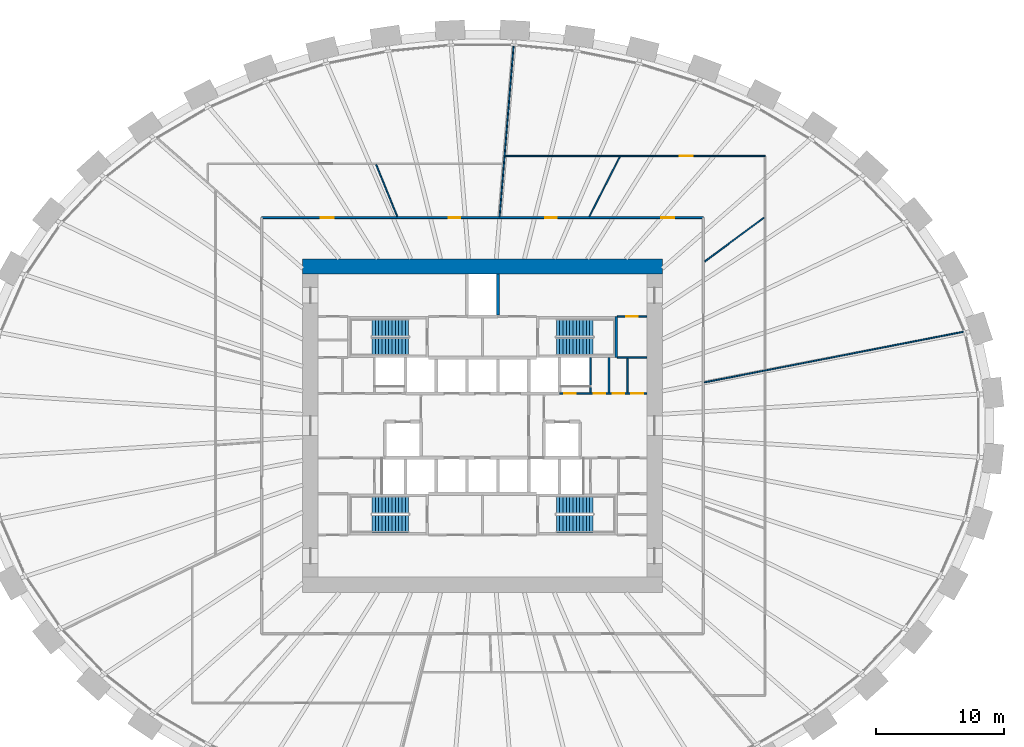
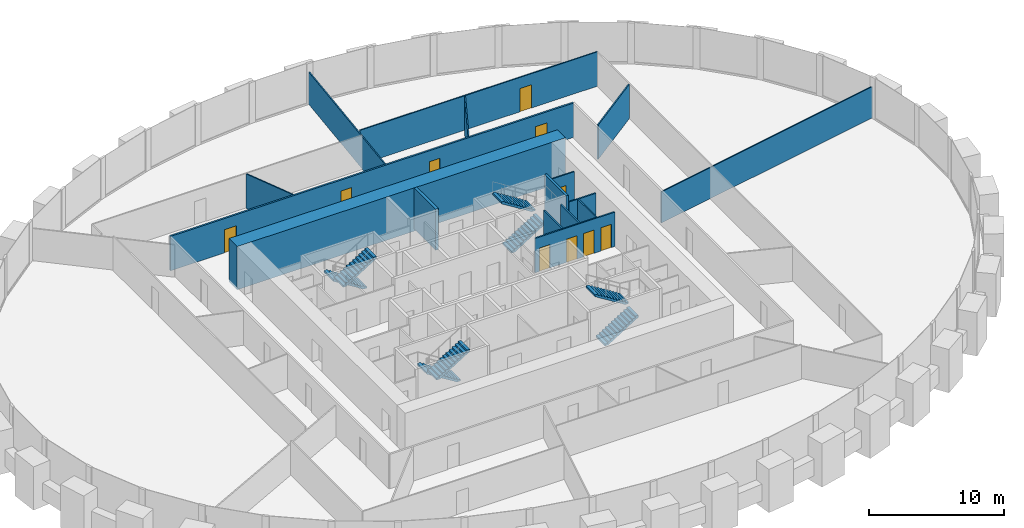
# One storey, part 9 of 10: 16 walls, 10 doors, 8 stair flights, 10 openings, 4 elements without a shape of their own.
"""IFC4 building model written with IfcOpenShell, lengths in metres."""

from ifc_helpers import new_model, si_unit, direction, frame, frame_2d, origin, place, context, subcontext, project, spatial, polyline, rectangle, outline, extrude, source, transform, mapped, material, layer, layer_set, type_object, element, fill, aggregate, save


model = new_model("IFC4")

# Units and contexts
model_context = context("Model", 3, precision=1e-05, world=origin(), true_north=direction((0.0, 1.0)))
body_context = subcontext(model_context, "Body", "Model", "MODEL_VIEW")
ifc_project = project(units=[si_unit("LENGTHUNIT", "METRE"), si_unit("AREAUNIT", "SQUARE_METRE"), si_unit("VOLUMEUNIT", "CUBIC_METRE"), si_unit("PLANEANGLEUNIT", "RADIAN"), si_unit("MASSUNIT", "GRAM", prefix="KILO")], contexts=[model_context])

# Site, building, storey
site_placement = place(None, origin())
site = spatial("IfcSite", under=ifc_project, at=site_placement, CompositionType="ELEMENT")
building_placement = place(site_placement, origin())
building = spatial("IfcBuilding", under=site, at=building_placement, Name="Embergate Tower", CompositionType="ELEMENT")
storey_placement = place(building_placement, frame((0.0, 0.0, 117.199951171875)))
storey = spatial("IfcBuildingStorey", under=building, at=storey_placement, Name="L25", CompositionType="ELEMENT", Elevation=117.199951171875)

# Wall
ifc_material_1 = material(Name="Concrete C80", Category="concrete")
ifc_layer_1 = layer(ifc_material_1, 1.199951171875)
ifc_layer_set_1 = layer_set([ifc_layer_1], Name="Concrete C80")
wall_type_1 = type_object("IfcWallType", Name="Core outer wall C80 1200", PredefinedType="SHEAR", material=ifc_layer_set_1)
shared_shape_1 = source(origin(), body_context, "Body", "SweptSolid", [
    extrude(rectangle(XDim=28.0, YDim=1.199951171875, at=frame_2d((14.0, 0.0))), origin(), (0.0, 0.0, 1.0), 3.89990234375),
])
wall_1_placement = place(storey_placement, frame((-14.0, 12.39990234375, -0.199951171875), z_axis=(0.0, 0.0, 1.0), x_axis=(1.0, 0.0, 0.0)))
element("IfcWall", 1, at=wall_1_placement, inside=storey, type_object=wall_type_1, Name="CW-L25-N", PredefinedType="SHEAR", context=body_context, shape_type="MappedRepresentation", body=[
    mapped(shared_shape_1, transform((0.0, 0.0, 0.0))),
])

# Wall, openings, doors
ifc_material_2 = material(Name="Core partition blockwork 120")
ifc_layer_2 = layer(ifc_material_2, 0.1201171875)
ifc_layer_set_2 = layer_set([ifc_layer_2], Name="Core partition blockwork 120")
wall_type_2 = type_object("IfcWallType", Name="Core partition blockwork 120", PredefinedType="PARTITIONING", material=ifc_layer_set_2)
shared_shape_2 = source(origin(), body_context, "Body", "SweptSolid", [
    extrude(rectangle(XDim=6.800048828125, YDim=0.1201171875, at=frame_2d((3.39990234375, 0.0))), origin(), (0.0, 0.0, 1.0), 3.10009765625),
])
wall_2_placement = place(storey_placement, frame((6.0, 2.5, 0.0), z_axis=(0.0, 0.0, 1.0), x_axis=(1.0, 0.0, 0.0)))
wall_2 = element("IfcWall", 2, at=wall_2_placement, inside=storey, type_object=wall_type_2, Name="IP-3 wall", PredefinedType="PARTITIONING", context=body_context, shape_type="MappedRepresentation", body=[
    mapped(shared_shape_2, transform((0.0, 0.0, 0.0))),
])
shared_shape_3 = source(origin(), body_context, "Body", "SweptSolid", [
    extrude(rectangle(XDim=0.89990234375, YDim=2.10009765625, at=frame_2d((0.449951171875, 1.050048828125))), frame((0.0, 0.070068359375, 0.0), z_axis=(0.0, -1.0, 0.0), x_axis=(1.0, 0.0, 0.0)), (0.0, 0.0, 1.0), 0.14013671875),
])
opening_1_placement = place(wall_2_placement, frame((0.35009765625, 0.0, 0.0)))
opening_1 = element("IfcOpeningElement", 3, at=opening_1_placement, cuts=wall_2, Name="Opening ID-1", PredefinedType="OPENING", context=body_context, shape_type="MappedRepresentation", body=[
    mapped(shared_shape_3, transform((0.0, 0.0, 0.0))),
])
opening_2_placement = place(wall_2_placement, frame((2.676025390625, 0.0, 0.0)))
opening_2 = element("IfcOpeningElement", 4, at=opening_2_placement, cuts=wall_2, Name="Opening ID-1", PredefinedType="OPENING", context=body_context, shape_type="MappedRepresentation", body=[
    mapped(shared_shape_3, transform((0.0, 0.0, 0.0))),
])
opening_3_placement = place(wall_2_placement, frame((4.1279296875, 0.0, 0.0)))
opening_3 = element("IfcOpeningElement", 5, at=opening_3_placement, cuts=wall_2, Name="Opening ID-1", PredefinedType="OPENING", context=body_context, shape_type="MappedRepresentation", body=[
    mapped(shared_shape_3, transform((0.0, 0.0, 0.0))),
])
opening_4_placement = place(wall_2_placement, frame((5.60205078125, 0.0, 0.0)))
opening_4 = element("IfcOpeningElement", 6, at=opening_4_placement, cuts=wall_2, Name="Opening ID-1", PredefinedType="OPENING", context=body_context, shape_type="MappedRepresentation", body=[
    mapped(shared_shape_3, transform((0.0, 0.0, 0.0))),
])
ifc_material_3 = material(Name="Interior door 900")
door_type_1 = type_object("IfcDoorType", Name="Interior door 900", OperationType="SINGLE_SWING_LEFT", PredefinedType="DOOR", material=ifc_material_3)
shared_shape_4 = source(origin(), body_context, "Body", "SweptSolid", [
    extrude(rectangle(XDim=0.89990234375, YDim=2.10009765625, at=frame_2d((0.449951171875, 1.050048828125))), frame((0.0, 0.02490234375, 0.0), z_axis=(0.0, -1.0, 0.0), x_axis=(1.0, 0.0, 0.0)), (0.0, 0.0, 1.0), 0.050048828125),
])
door_1_placement = place(opening_1_placement, origin())
door_1 = element("IfcDoor", 7, at=door_1_placement, inside=storey, type_object=door_type_1, Name="ID-1 door", OperationType="SINGLE_SWING_RIGHT", OverallHeight=2.10009765625, OverallWidth=0.89990234375, PredefinedType="DOOR", context=body_context, shape_type="MappedRepresentation", body=[
    mapped(shared_shape_4, transform((0.0, 0.0, 0.0))),
])
fill(opening_1, door_1)
door_2_placement = place(opening_2_placement, origin())
door_2 = element("IfcDoor", 8, at=door_2_placement, inside=storey, type_object=door_type_1, Name="ID-1 door", OperationType="SINGLE_SWING_LEFT", OverallHeight=2.10009765625, OverallWidth=0.89990234375, PredefinedType="DOOR", context=body_context, shape_type="MappedRepresentation", body=[
    mapped(shared_shape_4, transform((0.0, 0.0, 0.0))),
])
fill(opening_2, door_2)
door_3_placement = place(opening_3_placement, origin())
door_3 = element("IfcDoor", 9, at=door_3_placement, inside=storey, type_object=door_type_1, Name="ID-1 door", OperationType="SINGLE_SWING_RIGHT", OverallHeight=2.10009765625, OverallWidth=0.89990234375, PredefinedType="DOOR", context=body_context, shape_type="MappedRepresentation", body=[
    mapped(shared_shape_4, transform((0.0, 0.0, 0.0))),
])
fill(opening_3, door_3)
door_4_placement = place(opening_4_placement, origin())
door_4 = element("IfcDoor", 10, at=door_4_placement, inside=storey, type_object=door_type_1, Name="ID-1 door", OperationType="SINGLE_SWING_RIGHT", OverallHeight=2.10009765625, OverallWidth=0.89990234375, PredefinedType="DOOR", context=body_context, shape_type="MappedRepresentation", body=[
    mapped(shared_shape_4, transform((0.0, 0.0, 0.0))),
])
fill(opening_4, door_4)

# Walls
shared_shape_5 = source(origin(), body_context, "Body", "SweptSolid", [
    extrude(rectangle(XDim=2.739990234375, YDim=0.1201171875, at=frame_2d((1.3701171875, 0.0))), origin(), (0.0, 0.0, 1.0), 3.10009765625),
])
for number, where, z_axis, x_axis, name in (
    (11, (8.39990234375, 2.56005859375, 0.0), (0.0, 0.0, 1.0), (0.0, 1.0, 0.0), "IP-3 wall"),
    (12, (9.85205078125, 2.56005859375, 0.0), (0.0, 0.0, 1.0), (0.0, 1.0, 0.0), "IP-3 wall"),
):
    element("IfcWall", number, at=place(storey_placement, frame(where, z_axis=z_axis, x_axis=x_axis)), inside=storey, type_object=wall_type_2, Name=name, PredefinedType="PARTITIONING", context=body_context, shape_type="MappedRepresentation", body=[
        mapped(shared_shape_5, transform((0.0, 0.0, 0.0))),
    ])
ifc_material_4 = material(Name="Concrete C50", Category="concrete")
ifc_layer_3 = layer(ifc_material_4, 0.199951171875)
ifc_layer_set_3 = layer_set([ifc_layer_3], Name="Concrete C50")
wall_type_3 = type_object("IfcWallType", Name="Stair enclosure wall reinforced concrete 250", PredefinedType="SHEAR", material=ifc_layer_set_3)
shared_shape_6 = source(origin(), body_context, "Body", "SweptSolid", [
    extrude(rectangle(XDim=3.199951171875, YDim=0.199951171875, at=frame_2d((1.60009765625, 0.0))), origin(), (0.0, 0.0, 1.0), 3.699951171875),
])
wall_3_placement = place(storey_placement, frame((10.39990234375, 5.300048828125, 0.0), z_axis=(0.0, 0.0, 1.0), x_axis=(0.0, 1.0, 0.0)))
element("IfcWall", 13, at=wall_3_placement, inside=storey, type_object=wall_type_3, Name="SE-1 wall", PredefinedType="SHEAR", context=body_context, shape_type="MappedRepresentation", body=[
    mapped(shared_shape_6, transform((0.0, 0.0, 0.0))),
])
ifc_layer_4 = layer(ifc_material_4, 0.25)
ifc_layer_set_4 = layer_set([ifc_layer_4], Name="Concrete C50")
wall_type_4 = type_object("IfcWallType", Name="Hoistway wall reinforced concrete 250", PredefinedType="SHEAR", material=ifc_layer_set_4)
shared_shape_7 = source(origin(), body_context, "Body", "SweptSolid", [
    extrude(rectangle(XDim=3.175048828125, YDim=0.25, at=frame_2d((1.58740234375, 0.0))), origin(), (0.0, 0.0, 1.0), 3.699951171875),
])
wall_4_placement = place(storey_placement, frame((1.199951171875, 11.800048828125, 0.0), z_axis=(0.0, 0.0, 1.0), x_axis=(0.0, -1.0, 0.0)))
element("IfcWall", 14, at=wall_4_placement, inside=storey, type_object=wall_type_4, Name="HW-1 wall", PredefinedType="SHEAR", context=body_context, shape_type="MappedRepresentation", body=[
    mapped(shared_shape_7, transform((0.0, 0.0, 0.0))),
])

# Wall, opening, door
shared_shape_8 = source(origin(), body_context, "Body", "SweptSolid", [
    extrude(rectangle(XDim=2.300048828125, YDim=0.1201171875, at=frame_2d((1.14990234375, 0.0))), origin(), (0.0, 0.0, 1.0), 3.10009765625),
])
wall_5_placement = place(storey_placement, frame((10.5, 8.5, 0.0), z_axis=(0.0, 0.0, 1.0), x_axis=(1.0, 0.0, 0.0)))
wall_5 = element("IfcWall", 15, at=wall_5_placement, inside=storey, type_object=wall_type_2, Name="IP-3 wall", PredefinedType="PARTITIONING", context=body_context, shape_type="MappedRepresentation", body=[
    mapped(shared_shape_8, transform((0.0, 0.0, 0.0))),
])
opening_5_placement = place(wall_5_placement, frame((0.699951171875, 0.0, 0.0)))
opening_5 = element("IfcOpeningElement", 16, at=opening_5_placement, cuts=wall_5, Name="Opening ID-1", PredefinedType="OPENING", context=body_context, shape_type="MappedRepresentation", body=[
    mapped(shared_shape_3, transform((0.0, 0.0, 0.0))),
])
door_5_placement = place(opening_5_placement, origin())
door_5 = element("IfcDoor", 17, at=door_5_placement, inside=storey, type_object=door_type_1, Name="ID-1 door", OperationType="SINGLE_SWING_LEFT", OverallHeight=2.10009765625, OverallWidth=0.89990234375, PredefinedType="DOOR", context=body_context, shape_type="MappedRepresentation", body=[
    mapped(shared_shape_4, transform((0.0, 0.0, 0.0))),
])
fill(opening_5, door_5)

# Walls
wall_6_placement = place(storey_placement, frame((12.800048828125, 5.300048828125, 0.0), z_axis=(0.0, 0.0, 1.0), x_axis=(-1.0, 0.0, 0.0)))
element("IfcWall", 18, at=wall_6_placement, inside=storey, type_object=wall_type_2, Name="IP-3 wall", PredefinedType="PARTITIONING", context=body_context, shape_type="MappedRepresentation", body=[
    mapped(shared_shape_8, transform((0.0, 0.0, 0.0))),
])
shared_shape_9 = source(origin(), body_context, "Body", "SweptSolid", [
    extrude(rectangle(XDim=2.679931640625, YDim=0.1201171875, at=frame_2d((1.33984375, 0.0))), origin(), (0.0, 0.0, 1.0), 3.10009765625),
])
wall_7_placement = place(storey_placement, frame((11.303955078125, 2.56005859375, 0.0), z_axis=(0.0, 0.0, 1.0), x_axis=(0.0, 1.0, 0.0)))
element("IfcWall", 19, at=wall_7_placement, inside=storey, type_object=wall_type_2, Name="IP-3 wall", PredefinedType="PARTITIONING", context=body_context, shape_type="MappedRepresentation", body=[
    mapped(shared_shape_9, transform((0.0, 0.0, 0.0))),
])

# Wall, openings, doors
ifc_material_5 = material(Name="Corridor wall dry-lined 150")
ifc_layer_5 = layer(ifc_material_5, 0.14990234375)
ifc_layer_set_5 = layer_set([ifc_layer_5], Name="Corridor wall dry-lined 150")
wall_type_5 = type_object("IfcWallType", Name="Corridor wall dry-lined 150", PredefinedType="PARTITIONING", material=ifc_layer_set_5)
shared_shape_10 = source(origin(), body_context, "Body", "SweptSolid", [
    extrude(rectangle(XDim=34.39990234375, YDim=0.14990234375, at=frame_2d((17.199951171875, 0.0))), origin(), (0.0, 0.0, 1.0), 3.10009765625),
])
wall_8_placement = place(storey_placement, frame((-17.199951171875, 16.199951171875, 0.0), z_axis=(0.0, 0.0, 1.0), x_axis=(1.0, 0.0, 0.0)))
wall_8 = element("IfcWall", 20, at=wall_8_placement, inside=storey, type_object=wall_type_5, Name="IP-2 wall", PredefinedType="PARTITIONING", context=body_context, shape_type="MappedRepresentation", body=[
    mapped(shared_shape_10, transform((0.0, 0.0, 0.0))),
])
shared_shape_11 = source(origin(), body_context, "Body", "SweptSolid", [
    extrude(rectangle(XDim=1.0, YDim=2.10009765625, at=frame_2d((0.5, 1.050048828125))), frame((0.0, 0.0849609375, 0.0), z_axis=(0.0, -1.0, 0.0), x_axis=(1.0, 0.0, 0.0)), (0.0, 0.0, 1.0), 0.169921875),
])
opening_6_placement = place(wall_8_placement, frame((31.12109375, 0.0, 0.0)))
opening_6 = element("IfcOpeningElement", 21, at=opening_6_placement, cuts=wall_8, Name="Opening ID-2", PredefinedType="OPENING", context=body_context, shape_type="MappedRepresentation", body=[
    mapped(shared_shape_11, transform((0.0, 0.0, 0.0))),
])
shared_shape_12 = source(origin(), body_context, "Body", "SweptSolid", [
    extrude(rectangle(XDim=0.89990234375, YDim=2.10009765625, at=frame_2d((0.449951171875, 1.050048828125))), frame((0.0, 0.0849609375, 0.0), z_axis=(0.0, -1.0, 0.0), x_axis=(1.0, 0.0, 0.0)), (0.0, 0.0, 1.0), 0.169921875),
])
opening_7_placement = place(wall_8_placement, frame((22.092041015625, 0.0, 0.0)))
opening_7 = element("IfcOpeningElement", 22, at=opening_7_placement, cuts=wall_8, Name="Opening IF-1c", PredefinedType="OPENING", context=body_context, shape_type="MappedRepresentation", body=[
    mapped(shared_shape_12, transform((0.0, 0.0, 0.0))),
])
opening_8_placement = place(wall_8_placement, frame((14.56103515625, 0.0, 0.0)))
opening_8 = element("IfcOpeningElement", 23, at=opening_8_placement, cuts=wall_8, Name="Opening IF-1c", PredefinedType="OPENING", context=body_context, shape_type="MappedRepresentation", body=[
    mapped(shared_shape_12, transform((0.0, 0.0, 0.0))),
])
opening_9_placement = place(wall_8_placement, frame((4.618896484375, 0.0, 0.0)))
opening_9 = element("IfcOpeningElement", 24, at=opening_9_placement, cuts=wall_8, Name="Opening ID-2", PredefinedType="OPENING", context=body_context, shape_type="MappedRepresentation", body=[
    mapped(shared_shape_11, transform((0.0, 0.0, 0.0))),
])
ifc_material_6 = material(Name="Escape fire door 900")
door_type_2 = type_object("IfcDoorType", Name="Escape fire door 900", OperationType="SINGLE_SWING_LEFT", PredefinedType="DOOR", material=ifc_material_6)
door_6_placement = place(opening_7_placement, origin())
door_6 = element("IfcDoor", 25, at=door_6_placement, inside=storey, type_object=door_type_2, Name="IF-1 door", OperationType="SINGLE_SWING_LEFT", OverallHeight=2.10009765625, OverallWidth=0.89990234375, PredefinedType="DOOR", context=body_context, shape_type="MappedRepresentation", body=[
    mapped(shared_shape_4, transform((0.0, 0.0, 0.0))),
])
fill(opening_7, door_6)
door_7_placement = place(opening_8_placement, origin())
door_7 = element("IfcDoor", 26, at=door_7_placement, inside=storey, type_object=door_type_2, Name="IF-1 door", OperationType="SINGLE_SWING_LEFT", OverallHeight=2.10009765625, OverallWidth=0.89990234375, PredefinedType="DOOR", context=body_context, shape_type="MappedRepresentation", body=[
    mapped(shared_shape_4, transform((0.0, 0.0, 0.0))),
])
fill(opening_8, door_7)
ifc_material_7 = material(Name="Interior door 1000")
door_type_3 = type_object("IfcDoorType", Name="Interior door 1000", OperationType="SINGLE_SWING_LEFT", PredefinedType="DOOR", material=ifc_material_7)
shared_shape_13 = source(origin(), body_context, "Body", "SweptSolid", [
    extrude(rectangle(XDim=1.0, YDim=2.10009765625, at=frame_2d((0.5, 1.050048828125))), frame((0.0, 0.02490234375, 0.0), z_axis=(0.0, -1.0, 0.0), x_axis=(1.0, 0.0, 0.0)), (0.0, 0.0, 1.0), 0.050048828125),
])
door_8_placement = place(opening_6_placement, origin())
door_8 = element("IfcDoor", 27, at=door_8_placement, inside=storey, type_object=door_type_3, Name="ID-2 door", OperationType="SINGLE_SWING_LEFT", OverallHeight=2.10009765625, OverallWidth=1.0, PredefinedType="DOOR", context=body_context, shape_type="MappedRepresentation", body=[
    mapped(shared_shape_13, transform((0.0, 0.0, 0.0))),
])
fill(opening_6, door_8)
door_9_placement = place(opening_9_placement, origin())
door_9 = element("IfcDoor", 28, at=door_9_placement, inside=storey, type_object=door_type_3, Name="ID-2 door", OperationType="SINGLE_SWING_RIGHT", OverallHeight=2.10009765625, OverallWidth=1.0, PredefinedType="DOOR", context=body_context, shape_type="MappedRepresentation", body=[
    mapped(shared_shape_13, transform((0.0, 0.0, 0.0))),
])
fill(opening_9, door_9)

# Walls
ifc_material_8 = material(Name="Partition dry-lined 100")
ifc_layer_6 = layer(ifc_material_8, 0.10009765625)
ifc_layer_set_6 = layer_set([ifc_layer_6], Name="Partition dry-lined 100")
wall_type_6 = type_object("IfcWallType", Name="Partition dry-lined 100", PredefinedType="PARTITIONING", material=ifc_layer_set_6)
shared_shape_14 = source(origin(), body_context, "Body", "SweptSolid", [
    extrude(rectangle(XDim=20.624755859375, YDim=0.10009765625, at=frame_2d((10.3125, 0.0))), origin(), (0.0, 0.0, 1.0), 2.800048828125),
])
wall_9_placement = place(storey_placement, frame((37.527099609375, 7.3310546875, 0.0), z_axis=(0.0, 0.0, 1.0), x_axis=(-0.981450411969, -0.191716167409, 0.0)))
element("IfcWall", 29, at=wall_9_placement, inside=storey, type_object=wall_type_6, Name="IP-1 wall", PredefinedType="PARTITIONING", context=body_context, shape_type="MappedRepresentation", body=[
    mapped(shared_shape_14, transform((0.0, 0.0, 0.0))),
])
shared_shape_15 = source(origin(), body_context, "Body", "SweptSolid", [
    extrude(rectangle(XDim=5.7392578125, YDim=0.10009765625, at=frame_2d((2.86962890625, 0.0))), origin(), (0.0, 0.0, 1.0), 3.10009765625),
])
wall_10_placement = place(storey_placement, frame((17.304931640625, 12.7890625, 0.0), z_axis=(0.0, 0.0, 1.0), x_axis=(0.804110716307, 0.594479567285, 0.0)))
element("IfcWall", 30, at=wall_10_placement, inside=storey, type_object=wall_type_6, Name="IP-1 wall", PredefinedType="PARTITIONING", context=body_context, shape_type="MappedRepresentation", body=[
    mapped(shared_shape_15, transform((0.0, 0.0, 0.0))),
])
shared_shape_16 = source(origin(), body_context, "Body", "SweptSolid", [
    extrude(rectangle(XDim=5.197265625, YDim=0.10009765625, at=frame_2d((2.5986328125, 0.0))), origin(), (0.0, 0.0, 1.0), 3.10009765625),
])
wall_11_placement = place(storey_placement, frame((8.321044921875, 16.298095703125, 0.0), z_axis=(0.0, 0.0, 1.0), x_axis=(0.454676472445, 0.890656670892, 0.0)))
element("IfcWall", 31, at=wall_11_placement, inside=storey, type_object=wall_type_6, Name="IP-1 wall", PredefinedType="PARTITIONING", context=body_context, shape_type="MappedRepresentation", body=[
    mapped(shared_shape_16, transform((0.0, 0.0, 0.0))),
])

# Wall, opening, door
shared_shape_17 = source(origin(), body_context, "Body", "SweptSolid", [
    extrude(rectangle(XDim=20.23291015625, YDim=0.10009765625, at=frame_2d((10.116455078125, 0.0))), origin(), (0.0, 0.0, 1.0), 3.10009765625),
])
wall_12_placement = place(storey_placement, frame((1.76708984375, 21.0, 0.0), z_axis=(0.0, 0.0, 1.0), x_axis=(1.0, 0.0, 0.0)))
wall_12 = element("IfcWall", 32, at=wall_12_placement, inside=storey, type_object=wall_type_6, Name="IP-1 wall", PredefinedType="PARTITIONING", context=body_context, shape_type="MappedRepresentation", body=[
    mapped(shared_shape_17, transform((0.0, 0.0, 0.0))),
])
shared_shape_18 = source(origin(), body_context, "Body", "SweptSolid", [
    extrude(rectangle(XDim=1.0, YDim=2.10009765625, at=frame_2d((0.5, 1.050048828125))), frame((0.0, 0.06005859375, 0.0), z_axis=(0.0, -1.0, 0.0), x_axis=(1.0, 0.0, 0.0)), (0.0, 0.0, 1.0), 0.1201171875),
])
opening_10_placement = place(wall_12_placement, frame((13.609619140625, 0.0, 0.0)))
opening_10 = element("IfcOpeningElement", 33, at=opening_10_placement, cuts=wall_12, Name="Opening ID-2", PredefinedType="OPENING", context=body_context, shape_type="MappedRepresentation", body=[
    mapped(shared_shape_18, transform((0.0, 0.0, 0.0))),
])
door_10_placement = place(opening_10_placement, origin())
door_10 = element("IfcDoor", 34, at=door_10_placement, inside=storey, type_object=door_type_3, Name="ID-2 door", OperationType="SINGLE_SWING_LEFT", OverallHeight=2.10009765625, OverallWidth=1.0, PredefinedType="DOOR", context=body_context, shape_type="MappedRepresentation", body=[
    mapped(shared_shape_13, transform((0.0, 0.0, 0.0))),
])
fill(opening_10, door_10)

# Walls
shared_shape_19 = source(origin(), body_context, "Body", "SweptSolid", [
    extrude(rectangle(XDim=13.411865234375, YDim=0.10009765625, at=frame_2d((6.7060546875, 0.0))), origin(), (0.0, 0.0, 1.0), 2.900146484375),
])
wall_13_placement = place(storey_placement, frame((2.424072265625, 29.64208984375, 0.0), z_axis=(0.0, 0.0, 1.0), x_axis=(-0.081496707989, -0.996673610861, 0.0)))
element("IfcWall", 35, at=wall_13_placement, inside=storey, type_object=wall_type_6, Name="IP-1 wall", PredefinedType="PARTITIONING", context=body_context, shape_type="MappedRepresentation", body=[
    mapped(shared_shape_19, transform((0.0, 0.0, 0.0))),
])
shared_shape_20 = source(origin(), body_context, "Body", "SweptSolid", [
    extrude(rectangle(XDim=4.35986328125, YDim=0.10009765625, at=frame_2d((2.179931640625, 0.0))), origin(), (0.0, 0.0, 1.0), 3.10009765625),
])
wall_14_placement = place(storey_placement, frame((-6.639892578125, 16.2939453125, 0.0), z_axis=(0.0, 0.0, 1.0), x_axis=(-0.377542345429, 0.925992320383, 0.0)))
element("IfcWall", 36, at=wall_14_placement, inside=storey, type_object=wall_type_6, Name="IP-1 wall", PredefinedType="PARTITIONING", context=body_context, shape_type="MappedRepresentation", body=[
    mapped(shared_shape_20, transform((0.0, 0.0, 0.0))),
])

# Stair, stair flights
ifc_material_9 = material(Name="Exit stair")
stair_type = type_object("IfcStairType", Name="Exit stair", PredefinedType="HALF_TURN_STAIR", material=ifc_material_9)
stair_1_placement = place(storey_placement, origin())
stair_1 = element("IfcStair", 37, at=stair_1_placement, inside=storey, type_object=stair_type, Name="L25 Exit stair 1", PredefinedType="HALF_TURN_STAIR")
ifc_material_10 = material(Name="Concrete C40", Category="concrete")
stair_flight_type = type_object("IfcStairFlightType", Name="Stair flight reinforced concrete", PredefinedType="STRAIGHT", material=ifc_material_10)
shared_shape_21 = source(origin(), body_context, "Body", "SweptSolid", [
    extrude(outline(polyline([(0.0, 0.0), (0.0, 0.16259765625), (0.260009765625, 0.16259765625), (0.260009765625, 0.324951171875), (0.52001953125, 0.324951171875), (0.52001953125, 0.487548828125), (0.780029296875, 0.487548828125), (0.780029296875, 0.64990234375), (1.0400390625, 0.64990234375), (1.0400390625, 0.8125), (1.300048828125, 0.8125), (1.300048828125, 0.97509765625), (1.56005859375, 0.97509765625), (1.56005859375, 1.137451171875), (1.820068359375, 1.137451171875), (1.820068359375, 1.300048828125), (2.080078125, 1.300048828125), (2.080078125, 1.46240234375), (2.340087890625, 1.46240234375), (2.340087890625, 1.625), (2.60009765625, 1.625), (2.60009765625, 1.78759765625), (2.860107421875, 1.78759765625), (2.860107421875, 1.949951171875), (2.860107421875, 1.61083984375), (0.28271484375, 0.0), (0.0, 0.0)])), frame((0.0, 0.675048828125, 0.0), z_axis=(0.0, -1.0, 0.0), x_axis=(1.0, 0.0, 0.0)), (0.0, 0.0, 1.0), 1.35009765625),
])
stair_flight_1_placement = place(storey_placement, frame((-5.75, 7.625, 0.0), z_axis=(0.0, 0.0, 1.0), x_axis=(-1.0, 0.0, 0.0)))
stair_flight_1 = element("IfcStairFlight", 38, at=stair_flight_1_placement, type_object=stair_flight_type, Name="ST1 flight 1", NumberOfRisers=12, NumberOfTreads=11, PredefinedType="STRAIGHT", RiserHeight=0.1625, TreadLength=0.26, context=body_context, shape_type="MappedRepresentation", body=[
    mapped(shared_shape_21, transform((0.0, 0.0, 0.0))),
])
stair_flight_2_placement = place(storey_placement, frame((-8.610107421875, 6.175048828125, 1.949951171875), z_axis=(0.0, 0.0, 1.0), x_axis=(1.0, 0.0, 0.0)))
stair_flight_2 = element("IfcStairFlight", 39, at=stair_flight_2_placement, type_object=stair_flight_type, Name="ST1 flight 2", NumberOfRisers=12, NumberOfTreads=11, PredefinedType="STRAIGHT", RiserHeight=0.1625, TreadLength=0.26, context=body_context, shape_type="MappedRepresentation", body=[
    mapped(shared_shape_21, transform((0.0, 0.0, 0.0))),
])
aggregate(stair_1, [stair_flight_1, stair_flight_2])

stair_2_placement = place(storey_placement, origin())
stair_2 = element("IfcStair", 40, at=stair_2_placement, inside=storey, type_object=stair_type, Name="L25 Exit stair 2", PredefinedType="HALF_TURN_STAIR")
stair_flight_3_placement = place(storey_placement, frame((5.75, 6.175048828125, 0.0), z_axis=(0.0, 0.0, 1.0), x_axis=(1.0, 0.0, 0.0)))
stair_flight_3 = element("IfcStairFlight", 41, at=stair_flight_3_placement, type_object=stair_flight_type, Name="ST2 flight 1", NumberOfRisers=12, NumberOfTreads=11, PredefinedType="STRAIGHT", RiserHeight=0.1625, TreadLength=0.26, context=body_context, shape_type="MappedRepresentation", body=[
    mapped(shared_shape_21, transform((0.0, 0.0, 0.0))),
])
stair_flight_4_placement = place(storey_placement, frame((8.610107421875, 7.625, 1.949951171875), z_axis=(0.0, 0.0, 1.0), x_axis=(-1.0, 0.0, 0.0)))
stair_flight_4 = element("IfcStairFlight", 42, at=stair_flight_4_placement, type_object=stair_flight_type, Name="ST2 flight 2", NumberOfRisers=12, NumberOfTreads=11, PredefinedType="STRAIGHT", RiserHeight=0.1625, TreadLength=0.26, context=body_context, shape_type="MappedRepresentation", body=[
    mapped(shared_shape_21, transform((0.0, 0.0, 0.0))),
])
aggregate(stair_2, [stair_flight_3, stair_flight_4])

stair_3_placement = place(storey_placement, origin())
stair_3 = element("IfcStair", 43, at=stair_3_placement, inside=storey, type_object=stair_type, Name="L25 Exit stair 3", PredefinedType="HALF_TURN_STAIR")
stair_flight_5_placement = place(storey_placement, frame((-5.75, -6.175048828125, 0.0), z_axis=(0.0, 0.0, 1.0), x_axis=(-1.0, 0.0, 0.0)))
stair_flight_5 = element("IfcStairFlight", 44, at=stair_flight_5_placement, type_object=stair_flight_type, Name="ST3 flight 1", NumberOfRisers=12, NumberOfTreads=11, PredefinedType="STRAIGHT", RiserHeight=0.1625, TreadLength=0.26, context=body_context, shape_type="MappedRepresentation", body=[
    mapped(shared_shape_21, transform((0.0, 0.0, 0.0))),
])
stair_flight_6_placement = place(storey_placement, frame((-8.610107421875, -7.625, 1.949951171875), z_axis=(0.0, 0.0, 1.0), x_axis=(1.0, 0.0, 0.0)))
stair_flight_6 = element("IfcStairFlight", 45, at=stair_flight_6_placement, type_object=stair_flight_type, Name="ST3 flight 2", NumberOfRisers=12, NumberOfTreads=11, PredefinedType="STRAIGHT", RiserHeight=0.1625, TreadLength=0.26, context=body_context, shape_type="MappedRepresentation", body=[
    mapped(shared_shape_21, transform((0.0, 0.0, 0.0))),
])
aggregate(stair_3, [stair_flight_5, stair_flight_6])

stair_4_placement = place(storey_placement, origin())
stair_4 = element("IfcStair", 46, at=stair_4_placement, inside=storey, type_object=stair_type, Name="L25 Exit stair 4", PredefinedType="HALF_TURN_STAIR")
stair_flight_7_placement = place(storey_placement, frame((5.75, -7.625, 0.0), z_axis=(0.0, 0.0, 1.0), x_axis=(1.0, 0.0, 0.0)))
stair_flight_7 = element("IfcStairFlight", 47, at=stair_flight_7_placement, type_object=stair_flight_type, Name="ST4 flight 1", NumberOfRisers=12, NumberOfTreads=11, PredefinedType="STRAIGHT", RiserHeight=0.1625, TreadLength=0.26, context=body_context, shape_type="MappedRepresentation", body=[
    mapped(shared_shape_21, transform((0.0, 0.0, 0.0))),
])
stair_flight_8_placement = place(storey_placement, frame((8.610107421875, -6.175048828125, 1.949951171875), z_axis=(0.0, 0.0, 1.0), x_axis=(-1.0, 0.0, 0.0)))
stair_flight_8 = element("IfcStairFlight", 48, at=stair_flight_8_placement, type_object=stair_flight_type, Name="ST4 flight 2", NumberOfRisers=12, NumberOfTreads=11, PredefinedType="STRAIGHT", RiserHeight=0.1625, TreadLength=0.26, context=body_context, shape_type="MappedRepresentation", body=[
    mapped(shared_shape_21, transform((0.0, 0.0, 0.0))),
])
aggregate(stair_4, [stair_flight_7, stair_flight_8])

save(model, "model.ifc")
